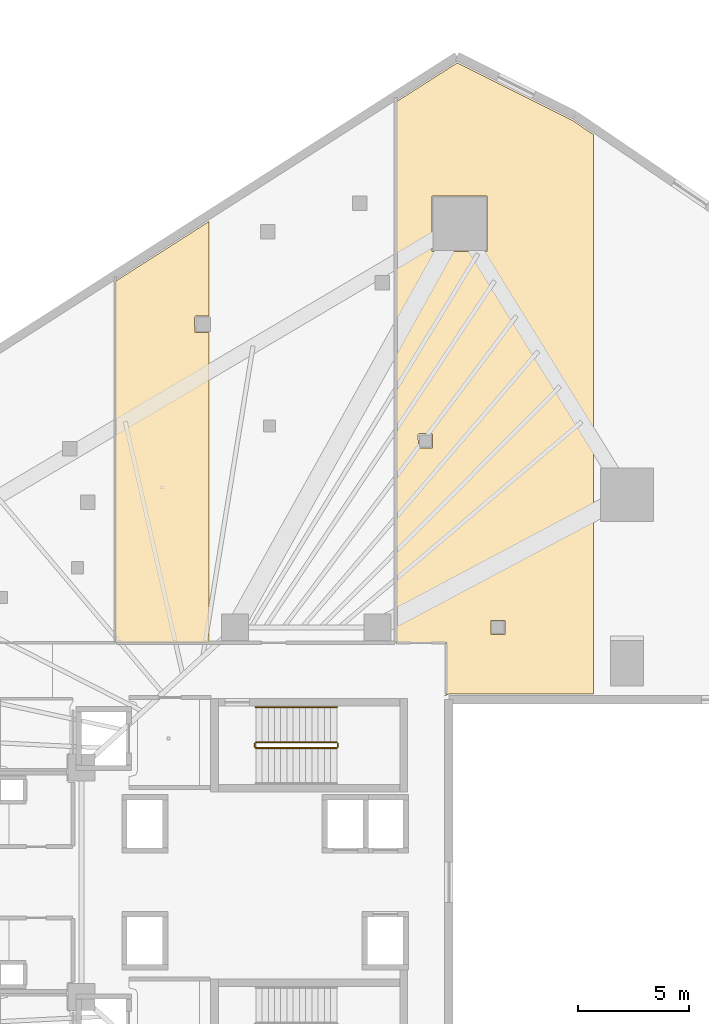
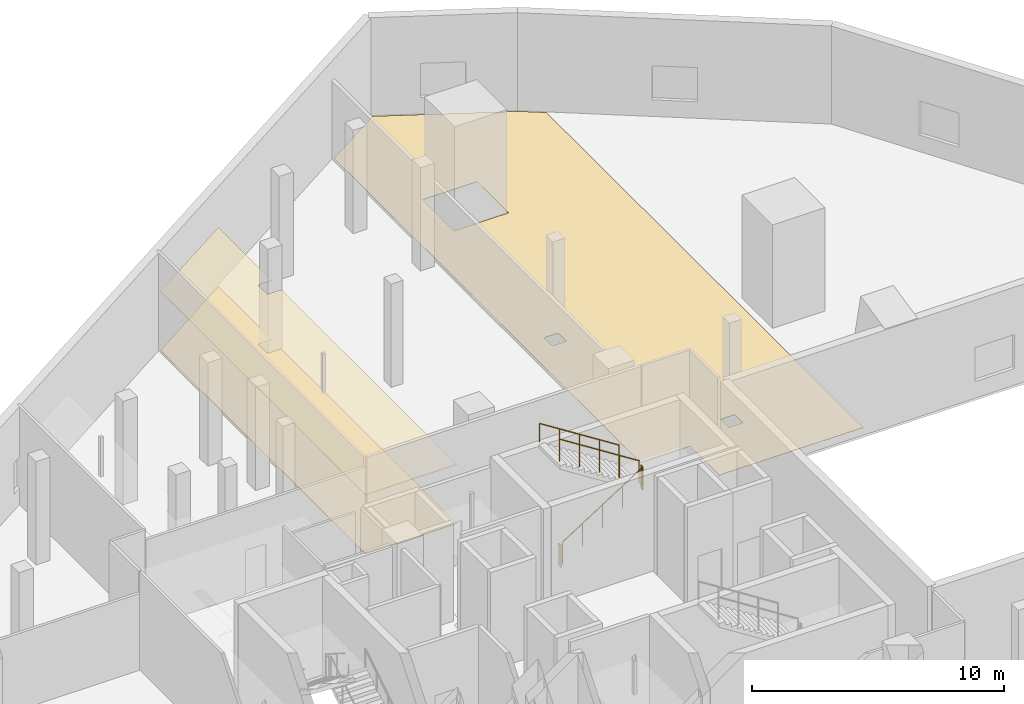
# One storey, part 43 of 46: 5 railings, 3 coverings.
"""IFC4 building model written with IfcOpenShell, lengths in metres."""

from ifc_helpers import new_model, si_unit, direction, frame, origin, origin_2d, place, context, subcontext, project, spatial, polyline, circle, outline, extrude, material, layer, layer_set, type_object, element, save


model = new_model("IFC4")

# Units and contexts
model_context = context("Model", 3, precision=1e-05, world=origin(), true_north=direction((0.0, 1.0)))
body_context = subcontext(model_context, "Body", "Model", "MODEL_VIEW")
ifc_project = project(units=[si_unit("LENGTHUNIT", "METRE"), si_unit("AREAUNIT", "SQUARE_METRE"), si_unit("VOLUMEUNIT", "CUBIC_METRE"), si_unit("PLANEANGLEUNIT", "RADIAN"), si_unit("MASSUNIT", "GRAM", prefix="KILO")], contexts=[model_context])

# Site, building, storey
site_placement = place(None, origin())
site = spatial("IfcSite", under=ifc_project, at=site_placement, CompositionType="ELEMENT")
building_placement = place(site_placement, origin())
building = spatial("IfcBuilding", under=site, at=building_placement, Name="Qorvath Tower", CompositionType="ELEMENT")
storey_placement = place(building_placement, frame((0.0, 0.0, 17.0)))
storey = spatial("IfcBuildingStorey", under=building, at=storey_placement, Name="L03", CompositionType="ELEMENT", Elevation=17.0)

# Coverings
ifc_material_1 = material(Name="Acoustic mineral fibre ceiling tile", Category="gypsum")
ifc_layer_1 = layer(ifc_material_1, 0.030029296875)
ifc_layer_set_1 = layer_set([ifc_layer_1], Name="COV-CEIL")
covering_type_1 = type_object("IfcCoveringType", Name="COV-CEIL", PredefinedType="CEILING", material=ifc_layer_set_1)
covering_1_placement = place(storey_placement, frame((0.0, 0.0, 2.85009765625)))
element("IfcCovering", 1, at=covering_1_placement, inside=storey, type_object=covering_type_1, Name="L03 Suspended Acoustic Ceiling 010", PredefinedType="CEILING", context=body_context, shape_type="SweptSolid", body=[
    extrude(outline(polyline([(-28.968505859375, 10.762939453125), (-24.776611328125, 10.762939453125), (-24.776611328125, 24.69140625), (-25.405029296875, 24.69140625), (-25.422607421875, 25.3837890625), (-25.362548828125, 25.44384765625), (-24.776611328125, 25.428955078125), (-24.776611328125, 29.6708984375), (-28.968505859375, 26.991943359375), (-28.968505859375, 10.762939453125)])), origin(), (0.0, 0.0, 1.0), 0.030029296875),
])
ifc_material_2 = material(Name="Low-VOC modular carpet tile", Category="textile")
ifc_layer_2 = layer(ifc_material_2, 0.014892578125)
ifc_layer_set_2 = layer_set([ifc_layer_2], Name="COV-FLOOR-CPT")
covering_type_2 = type_object("IfcCoveringType", Name="COV-FLOOR-CPT", PredefinedType="FLOORING", material=ifc_layer_set_2)
covering_2_placement = place(storey_placement, origin())
element("IfcCovering", 2, at=covering_2_placement, inside=storey, type_object=covering_type_2, Name="L03 Floor Finish 010", PredefinedType="FLOORING", context=body_context, shape_type="SweptSolid", body=[
    extrude(outline(polyline([(-28.968505859375, 10.762939453125), (-24.776611328125, 10.762939453125), (-24.776611328125, 24.69140625), (-25.405029296875, 24.69140625), (-25.422607421875, 25.3837890625), (-25.362548828125, 25.44384765625), (-24.776611328125, 25.428955078125), (-24.776611328125, 29.6708984375), (-28.968505859375, 26.991943359375), (-28.968505859375, 10.762939453125)])), origin(), (0.0, 0.0, 1.0), 0.014892578125),
])
covering_3_placement = place(storey_placement, origin())
element("IfcCovering", 3, at=covering_3_placement, inside=storey, type_object=covering_type_2, Name="L03 Floor Finish 011", PredefinedType="FLOORING", context=body_context, shape_type="SweptSolid", body=[
    extrude(outline(polyline([(-7.51220703125, 8.45166015625), (-7.51220703125, 33.577880859375), (-8.46533203125, 34.224365234375), (-13.619873046875, 36.801513671875), (-16.375244140625, 35.04052734375), (-16.375244140625, 10.762939453125), (-14.1083984375, 10.761474609375), (-14.10693359375, 8.448974609375), (-14.19775390625, 8.3681640625), (-14.0, 8.455078125), (-7.51220703125, 8.45166015625)]), holes=[polyline([(-12.117431640625, 11.767333984375), (-11.482666015625, 11.767333984375), (-11.482666015625, 11.132568359375), (-12.117431640625, 11.132568359375), (-12.117431640625, 11.767333984375)]), polyline([(-14.762451171875, 30.810546875), (-12.277587890625, 30.810546875), (-12.277587890625, 28.32568359375), (-14.762451171875, 28.32568359375), (-14.762451171875, 30.810546875)]), polyline([(-15.381103515625, 20.093017578125), (-15.321044921875, 20.153076171875), (-14.728759765625, 20.135498046875), (-14.728759765625, 19.500732421875), (-15.363525390625, 19.500732421875), (-15.381103515625, 20.093017578125)])]), origin(), (0.0, 0.0, 1.0), 0.014892578125),
])

# Railings
ifc_material_3 = material(Name="Painted galvanised steel", Category="steel")
railing_type_1 = type_object("IfcRailingType", Name="RL-STR-GRD", PredefinedType="GUARDRAIL", material=ifc_material_3)
railing_1_placement = place(storey_placement, frame((-22.669921875, 6.030029296875, 0.178466796875)))
element("IfcRailing", 4, at=railing_1_placement, inside=storey, type_object=railing_type_1, Name="L03 TS1 stair guard 1", PredefinedType="GUARDRAIL", context=body_context, shape_type="SweptSolid", body=[
    extrude(circle(Radius=0.02392578125, at=origin_2d()), frame((0.0, 0.0, 1.076171875), z_axis=(0.843111507901, 0.0, 0.53773877045), x_axis=(0.0, 1.0, 0.0)), (0.0, 0.0, 1.0), 4.317138671875),
    extrude(circle(Radius=0.02099609375, at=origin_2d()), origin(), (0.0, 0.0, 1.0), 1.052001953125),
    extrude(circle(Radius=0.02099609375, at=origin_2d()), frame((0.909912109375, 0.0, 0.580322265625)), (0.0, 0.0, 1.0), 1.052001953125),
    extrude(circle(Radius=0.02099609375, at=origin_2d()), frame((1.81982421875, 0.0, 1.16064453125)), (0.0, 0.0, 1.0), 1.052001953125),
    extrude(circle(Radius=0.02099609375, at=origin_2d()), frame((2.72998046875, 0.0, 1.7412109375)), (0.0, 0.0, 1.0), 1.052001953125),
    extrude(circle(Radius=0.02099609375, at=origin_2d()), frame((3.639892578125, 0.0, 2.321533203125)), (0.0, 0.0, 1.0), 1.052001953125),
])
railing_2_placement = place(storey_placement, frame((-18.97998046875, 6.080078125, 2.5)))
element("IfcRailing", 5, at=railing_2_placement, inside=storey, type_object=railing_type_1, Name="L03 TS1 stair guard 2", PredefinedType="GUARDRAIL", context=body_context, shape_type="SweptSolid", body=[
    extrude(circle(Radius=0.02392578125, at=origin_2d()), frame((0.0, 0.0, 1.076171875), z_axis=(0.0, 1.0, 0.0), x_axis=(-1.0, 0.0, 0.0)), (0.0, 0.0, 1.0), 0.14990234375),
    extrude(circle(Radius=0.02099609375, at=origin_2d()), origin(), (0.0, 0.0, 1.0), 1.052001953125),
    extrude(circle(Radius=0.02099609375, at=origin_2d()), frame((0.0, 0.14990234375, 0.0)), (0.0, 0.0, 1.0), 1.052001953125),
])
railing_3_placement = place(storey_placement, frame((-19.030029296875, 6.280029296875, 2.678466796875)))
element("IfcRailing", 6, at=railing_3_placement, inside=storey, type_object=railing_type_1, Name="L03 TS1 stair guard 3", PredefinedType="GUARDRAIL", context=body_context, shape_type="SweptSolid", body=[
    extrude(circle(Radius=0.02392578125, at=origin_2d()), frame((0.0, 0.0, 1.076171875), z_axis=(-0.843111507901, 0.0, 0.53773877045), x_axis=(0.0, -1.0, 0.0)), (0.0, 0.0, 1.0), 4.317138671875),
    extrude(circle(Radius=0.02099609375, at=origin_2d()), origin(), (0.0, 0.0, 1.0), 1.052001953125),
    extrude(circle(Radius=0.02099609375, at=origin_2d()), frame((-0.909912109375, 0.0, 0.580322265625)), (0.0, 0.0, 1.0), 1.052001953125),
    extrude(circle(Radius=0.02099609375, at=origin_2d()), frame((-1.81982421875, 0.0, 1.16064453125)), (0.0, 0.0, 1.0), 1.052001953125),
    extrude(circle(Radius=0.02099609375, at=origin_2d()), frame((-2.72998046875, 0.0, 1.7412109375)), (0.0, 0.0, 1.0), 1.052001953125),
    extrude(circle(Radius=0.02099609375, at=origin_2d()), frame((-3.639892578125, 0.0, 2.321533203125)), (0.0, 0.0, 1.0), 1.052001953125),
])
railing_4_placement = place(storey_placement, frame((-22.719970703125, 6.080078125, 0.0)))
element("IfcRailing", 7, at=railing_4_placement, inside=storey, type_object=railing_type_1, Name="L03 TS1 stair guard 4", PredefinedType="GUARDRAIL", context=body_context, shape_type="SweptSolid", body=[
    extrude(circle(Radius=0.02392578125, at=origin_2d()), frame((0.0, 0.0, 1.076171875), z_axis=(0.0, 1.0, 0.0), x_axis=(-1.0, 0.0, 0.0)), (0.0, 0.0, 1.0), 0.14990234375),
    extrude(circle(Radius=0.02099609375, at=origin_2d()), origin(), (0.0, 0.0, 1.0), 1.052001953125),
    extrude(circle(Radius=0.02099609375, at=origin_2d()), frame((0.0, 0.14990234375, 0.0)), (0.0, 0.0, 1.0), 1.052001953125),
])
ifc_material_4 = material(Name="Brushed stainless steel AISI 304", Category="steel")
railing_type_2 = type_object("IfcRailingType", Name="RL-STR-HND", PredefinedType="HANDRAIL", material=ifc_material_4)
railing_5_placement = place(storey_placement, frame((-19.030029296875, 7.860107421875, 2.678466796875)))
element("IfcRailing", 8, at=railing_5_placement, inside=storey, type_object=railing_type_2, Name="L03 TS1 stair handrail 2", PredefinedType="HANDRAIL", context=body_context, shape_type="SweptSolid", body=[
    extrude(circle(Radius=0.02392578125, at=origin_2d()), frame((0.0, 0.0, 0.8759765625), z_axis=(-0.843111507901, 0.0, 0.53773877045), x_axis=(0.0, -1.0, 0.0)), (0.0, 0.0, 1.0), 4.317138671875),
    extrude(circle(Radius=0.02099609375, at=origin_2d()), origin(), (0.0, 0.0, 1.0), 0.851806640625),
    extrude(circle(Radius=0.02099609375, at=origin_2d()), frame((-0.909912109375, 0.0, 0.580322265625)), (0.0, 0.0, 1.0), 0.851806640625),
    extrude(circle(Radius=0.02099609375, at=origin_2d()), frame((-1.81982421875, 0.0, 1.16064453125)), (0.0, 0.0, 1.0), 0.851806640625),
    extrude(circle(Radius=0.02099609375, at=origin_2d()), frame((-2.72998046875, 0.0, 1.7412109375)), (0.0, 0.0, 1.0), 0.851806640625),
    extrude(circle(Radius=0.02099609375, at=origin_2d()), frame((-3.639892578125, 0.0, 2.321533203125)), (0.0, 0.0, 1.0), 0.851806640625),
])

save(model, "model.ifc")
